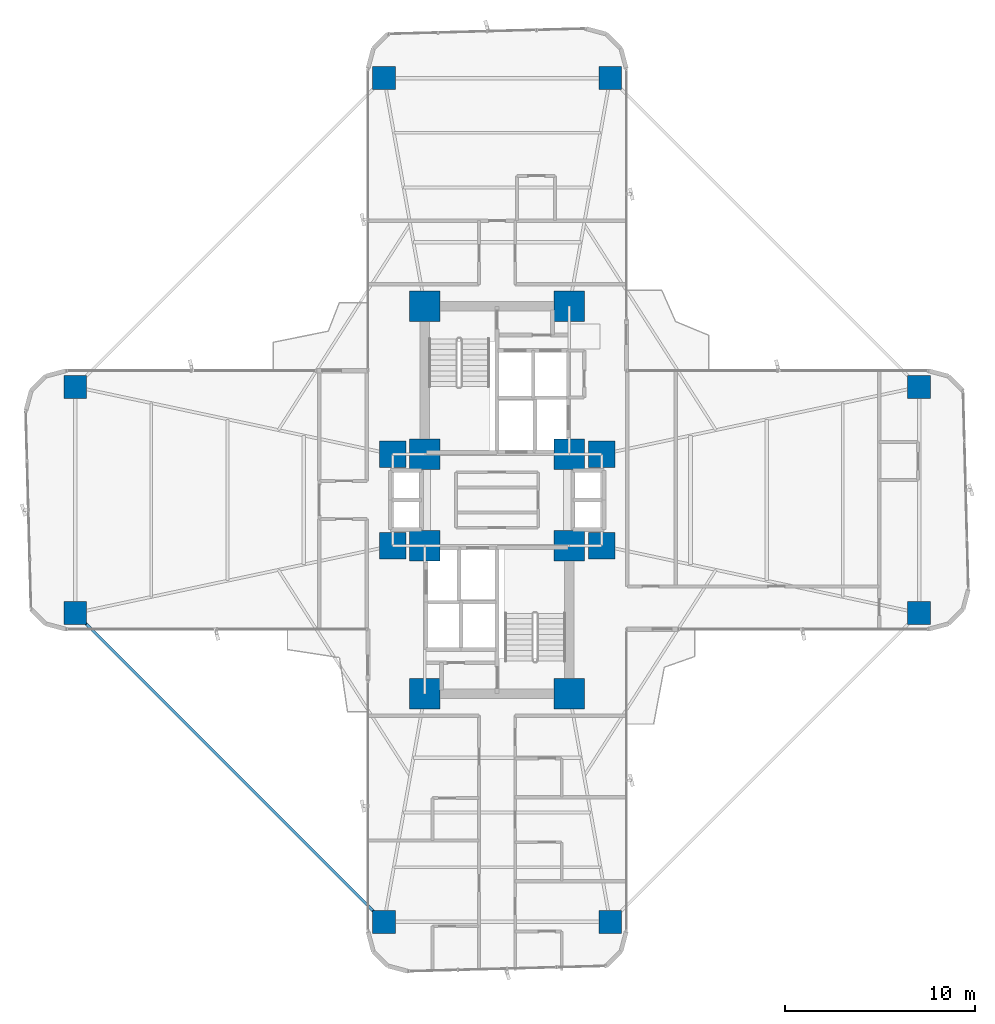
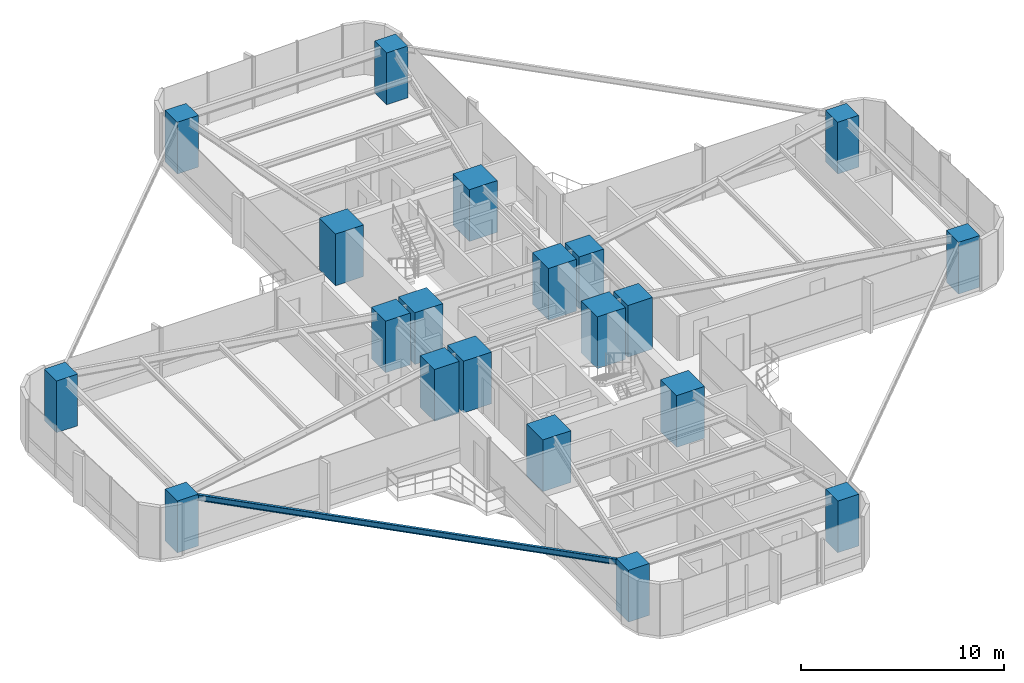
# One storey, part 1 of 25: 20 columns, 1 beam.
"""IFC4 building model written with IfcOpenShell, lengths in metres."""

import ifcopenshell
import ifcopenshell.guid

model = None  # the IFC model being written
_history = None  # IfcOwnerHistory: only IFC2X3 demands one
_inside = {}  # id of a spatial element -> (the spatial element, [elements in it])
_under = {}  # id of a project, library or spatial element -> (it, [spatial elements below it])
_declared = {}  # id of a project -> (the project, [libraries it declares])
_typed = {}  # id of a type object -> (the type object, [elements of that type])
_made_of = {}  # id of a material, layer set ... -> (it, [elements and type objects made of it])


def new_model(schema):
    """Start an empty IFC model of exactly this schema.

    Asked for "IFC4X3", IfcOpenShell would pick the latest addendum, in which some entities
    have other attributes; the version numbers below select the first issue.
    IFC2X3 requires an IfcOwnerHistory on every rooted entity: one is made here for all.
    """
    global model, _history
    if schema == "IFC4X3":
        model = ifcopenshell.file(schema_version=(4, 3, 0, 0))
    else:
        model = ifcopenshell.file(schema=schema)
    _inside.clear()
    _under.clear()
    _declared.clear()
    _typed.clear()
    _made_of.clear()
    _history = None
    if model.schema == "IFC2X3":
        org = make("IfcOrganization", Name="unknown")
        user = make(
            "IfcPersonAndOrganization",
            ThePerson=make("IfcPerson", FamilyName="unknown"),
            TheOrganization=org,
        )
        app = make(
            "IfcApplication",
            ApplicationDeveloper=org,
            Version="unknown",
            ApplicationFullName="unknown",
            ApplicationIdentifier="unknown",
        )
        _history = make(
            "IfcOwnerHistory",
            OwningUser=user,
            OwningApplication=app,
            ChangeAction="ADDED",
            CreationDate=0,
        )
    return model


def make(cls, **values):
    """One entity of the class cls with the attributes given. An attribute that is None is left unset."""
    return model.create_entity(
        cls, **{name: value for name, value in values.items() if value is not None}
    )


def rooted(cls, **values):
    """An entity with a GlobalId (a new one), such as an element, a storey or a relation."""
    return make(cls, GlobalId=ifcopenshell.guid.new(), OwnerHistory=_history, **values)


def si_unit(unit_type, name, prefix=None):
    """IfcSIUnit, for example si_unit("LENGTHUNIT", "METRE", prefix="MILLI")."""
    return make("IfcSIUnit", UnitType=unit_type, Prefix=prefix, Name=name)


def assignment(units):
    """IfcUnitAssignment: the units of a project."""
    return None if units is None else make("IfcUnitAssignment", Units=units)


def point(xyz):
    """IfcCartesianPoint."""
    return None if xyz is None else make("IfcCartesianPoint", Coordinates=xyz)


def direction(xyz):
    """IfcDirection."""
    return None if xyz is None else make("IfcDirection", DirectionRatios=xyz)


def frame(location, z_axis=None, x_axis=None):
    """IfcAxis2Placement3D, a coordinate frame: its origin and axes. An axis left out is left unset."""
    return make(
        "IfcAxis2Placement3D",
        Location=point(location),
        Axis=direction(z_axis),
        RefDirection=direction(x_axis),
    )


def frame_2d(location, x_axis=None):
    """IfcAxis2Placement2D, a coordinate frame in the plane: its origin and x axis."""
    return make(
        "IfcAxis2Placement2D", Location=point(location), RefDirection=direction(x_axis)
    )


def origin():
    """The frame at (0, 0, 0) with its axes left unset."""
    return frame((0.0, 0.0, 0.0))


def origin_2d():
    """The frame at (0, 0) in the plane with its x axis left unset."""
    return frame_2d((0.0, 0.0))


def place(relative_to, where):
    """IfcLocalPlacement: puts the frame where relative to a parent placement (None: the world)."""
    return make(
        "IfcLocalPlacement", PlacementRelTo=relative_to, RelativePlacement=where
    )


def context(
    kind, dimensions, precision=None, world=None, true_north=None, identifier=None
):
    """IfcGeometricRepresentationContext, for example the 3D "Model" context."""
    return make(
        "IfcGeometricRepresentationContext",
        ContextIdentifier=identifier,
        ContextType=kind,
        CoordinateSpaceDimension=dimensions,
        Precision=precision,
        WorldCoordinateSystem=world,
        TrueNorth=true_north,
    )


def subcontext(parent, identifier, kind, view, scale=None):
    """IfcGeometricRepresentationSubContext, for example "Body" below "Model"."""
    return make(
        "IfcGeometricRepresentationSubContext",
        ContextIdentifier=identifier,
        ContextType=kind,
        ParentContext=parent,
        TargetScale=scale,
        TargetView=view,
    )


def project(units=None, contexts=None):
    """IfcProject with its units and contexts."""
    return rooted(
        "IfcProject",
        Name="project",
        RepresentationContexts=contexts,
        UnitsInContext=assignment(units),
    )


def spatial(cls, under=None, at=None, **own):
    """A site, building, storey or space (cls), placed at a placement, below another one or the project."""
    s = rooted(cls, ObjectPlacement=at, **own)
    if under is not None:
        _under.setdefault(under.id(), (under, []))[1].append(s)
    return s


def profile(cls, at=None, kind="AREA", **sizes):
    """A parametric profile (cls). Its sizes go by their IFC names, for example OverallWidth=200.0."""
    return make(cls, ProfileType=kind, Position=at, **sizes)


def rectangle(**sizes):
    """IfcRectangleProfileDef."""
    return profile("IfcRectangleProfileDef", **sizes)


def i_section(**sizes):
    """IfcIShapeProfileDef."""
    return profile("IfcIShapeProfileDef", **sizes)


def extrude(swept, where, along, depth):
    """IfcExtrudedAreaSolid: the profile swept, set in the frame where, extruded along a direction by depth."""
    return make(
        "IfcExtrudedAreaSolid",
        SweptArea=swept,
        Position=where,
        ExtrudedDirection=direction(along),
        Depth=depth,
    )


def shape(context_of_items, identifier, shape_type, items):
    """IfcShapeRepresentation: the items that make up one representation, for example the "Body"."""
    return make(
        "IfcShapeRepresentation",
        ContextOfItems=context_of_items,
        RepresentationIdentifier=identifier,
        RepresentationType=shape_type,
        Items=items,
    )


def source(mapping_origin, context_of_items, identifier, shape_type, items):
    """IfcRepresentationMap: a shape defined once, which mapped items show again and again."""
    return make(
        "IfcRepresentationMap",
        MappingOrigin=mapping_origin,
        MappedRepresentation=shape(context_of_items, identifier, shape_type, items),
    )


def transform(
    local_origin,
    x_axis=None,
    y_axis=None,
    z_axis=None,
    scale=None,
    scale2=None,
    scale3=None,
    uniform=True,
):
    """IfcCartesianTransformationOperator3D, or its non-uniform kind. x_axis, y_axis, z_axis: its Axis1, 2, 3."""
    if uniform:
        return make(
            "IfcCartesianTransformationOperator3D",
            Axis1=direction(x_axis),
            Axis2=direction(y_axis),
            LocalOrigin=point(local_origin),
            Scale=scale,
            Axis3=direction(z_axis),
        )
    return make(
        "IfcCartesianTransformationOperator3DnonUniform",
        Axis1=direction(x_axis),
        Axis2=direction(y_axis),
        LocalOrigin=point(local_origin),
        Scale=scale,
        Axis3=direction(z_axis),
        Scale2=scale2,
        Scale3=scale3,
    )


def mapped(mapping_source, mapping_target):
    """IfcMappedItem: shows the shape of a source again, moved by a transform."""
    return make(
        "IfcMappedItem", MappingSource=mapping_source, MappingTarget=mapping_target
    )


def material(Name=None, Category=None):
    """IfcMaterial."""
    return make("IfcMaterial", Name=Name, Category=Category)


def material_profile(
    of_material, cross_section, Name=None, Category=None, Priority=None
):
    """IfcMaterialProfile: a cross section and its material."""
    return make(
        "IfcMaterialProfile",
        Name=Name,
        Material=of_material,
        Profile=cross_section,
        Priority=Priority,
        Category=Category,
    )


def profile_set(profiles, Name=None, composite=None):
    """IfcMaterialProfileSet."""
    return make(
        "IfcMaterialProfileSet",
        Name=Name,
        MaterialProfiles=profiles,
        CompositeProfile=composite,
    )


def made_of(thing, what):
    """Note that an element or type object is made of a material, layer set ...; save() writes the relation."""
    if what is not None:
        _made_of.setdefault(what.id(), (what, []))[1].append(thing)
    return thing


def type_object(cls, material=None, **own):
    """A type object (cls), such as IfcWallType, which elements share."""
    return made_of(rooted(cls, **own), material)


def element(
    cls,
    number,
    at=None,
    inside=None,
    cuts=None,
    type_object=None,
    material=None,
    context=None,
    identifier="Body",
    shape_type=None,
    held_by="IfcProductDefinitionShape",
    body=None,
    shapes=None,
    **own,
):
    """One element of the class cls, such as IfcWall. Its Tag is "e" and its number.

    at: its placement. inside: the storey or other place that contains it. cuts: it is an
    opening in that element (IfcRelVoidsElement). A single representation is given by context,
    identifier, shape_type and body (its items); several are given by shapes. held_by: the class
    of the entity that holds the representations. save() writes the other relations.
    """
    e = rooted(cls, Tag="e%d" % number, ObjectPlacement=at, **own)
    if body is not None:
        shapes = [shape(context, identifier, shape_type, body)]
    if shapes is not None:
        e.Representation = make(held_by, Representations=shapes)
    if inside is not None:
        _inside.setdefault(inside.id(), (inside, []))[1].append(e)
    if cuts is not None:
        rooted(
            "IfcRelVoidsElement", RelatingBuildingElement=cuts, RelatedOpeningElement=e
        )
    if type_object is not None:
        _typed.setdefault(type_object.id(), (type_object, []))[1].append(e)
    return made_of(e, material)


def aggregate(whole, parts):
    """IfcRelAggregates: a whole, such as a stair, and the parts it consists of."""
    return rooted("IfcRelAggregates", RelatingObject=whole, RelatedObjects=parts)


def save(model, path):
    """Write the relations noted so far, then the file.

    IfcRelAggregates (storeys below a building ...), IfcRelContainedInSpatialStructure (elements
    in a storey), IfcRelDefinesByType, IfcRelAssociatesMaterial and IfcRelDeclares: one each for
    every whole, place, type object, material and project.
    """
    for whole, parts in _under.values():
        aggregate(whole, parts)
    for where, things in _inside.values():
        rooted(
            "IfcRelContainedInSpatialStructure",
            RelatedElements=things,
            RelatingStructure=where,
        )
    for kind, things in _typed.values():
        rooted("IfcRelDefinesByType", RelatedObjects=things, RelatingType=kind)
    for what, things in _made_of.values():
        rooted("IfcRelAssociatesMaterial", RelatedObjects=things, RelatingMaterial=what)
    for by, libraries in _declared.values():
        rooted("IfcRelDeclares", RelatingContext=by, RelatedDefinitions=libraries)
    model.write(path)


model = new_model("IFC4")

# Units and contexts
model_context = context("Model", 3, precision=1e-05, world=origin(), true_north=direction((0.0, 1.0)))
body_context = subcontext(model_context, "Body", "Model", "MODEL_VIEW")
ifc_project = project(units=[si_unit("LENGTHUNIT", "METRE"), si_unit("AREAUNIT", "SQUARE_METRE"), si_unit("VOLUMEUNIT", "CUBIC_METRE"), si_unit("PLANEANGLEUNIT", "RADIAN"), si_unit("MASSUNIT", "GRAM", prefix="KILO")], contexts=[model_context])

# Site, building, storey
site_placement = place(None, origin())
site = spatial("IfcSite", under=ifc_project, at=site_placement, CompositionType="ELEMENT")
building_placement = place(site_placement, origin())
building = spatial("IfcBuilding", under=site, at=building_placement, Name="Sahyath Konkavel Grand Hotel", CompositionType="ELEMENT")
storey_placement = place(building_placement, frame((0.0, 0.0, 39.85009765625)))
storey = spatial("IfcBuildingStorey", under=building, at=storey_placement, Name="L10", CompositionType="ELEMENT", Elevation=39.85009765625)

# Columns
ifc_material_1 = material(Name="Concrete C70/85", Category="concrete")
ifc_material_profile_1 = material_profile(ifc_material_1, rectangle(XDim=1.60009765625, YDim=1.60009765625, at=origin_2d()), Name="RC 1600x1600")
ifc_profile_set_1 = profile_set([ifc_material_profile_1], Name="Concrete C70/85")
column_type_1 = type_object("IfcColumnType", Name="COL-RC1600", PredefinedType="COLUMN", material=ifc_profile_set_1)
shared_shape_1 = source(origin(), body_context, "Body", "SweptSolid", [
    extrude(rectangle(XDim=1.60009765625, YDim=1.60009765625, at=origin_2d()), origin(), (0.0, 0.0, 1.0), 3.10986328125),
])
for number, where, z_axis, x_axis, name in (
    (1, (-3.800048828125, 2.39990234375, 0.0), (0.0, 0.0, 1.0), (1.0, 0.0, 0.0), "L10 Core Boundary Column NC-SW"),
    (2, (3.800048828125, 2.39990234375, 0.0), (0.0, 0.0, 1.0), (1.0, 0.0, 0.0), "L10 Core Boundary Column NC-SE"),
    (3, (-3.800048828125, 10.199951171875, 0.0), (0.0, 0.0, 1.0), (1.0, 0.0, 0.0), "L10 Core Boundary Column NC-NW"),
    (4, (3.800048828125, 10.199951171875, 0.0), (0.0, 0.0, 1.0), (1.0, 0.0, 0.0), "L10 Core Boundary Column NC-NE"),
    (5, (-3.800048828125, -2.39990234375, 0.0), (0.0, 0.0, 1.0), (1.0, 0.0, 0.0), "L10 Core Boundary Column SC-NW"),
    (6, (3.800048828125, -2.39990234375, 0.0), (0.0, 0.0, 1.0), (1.0, 0.0, 0.0), "L10 Core Boundary Column SC-NE"),
    (7, (-3.800048828125, -10.199951171875, 0.0), (0.0, 0.0, 1.0), (1.0, 0.0, 0.0), "L10 Core Boundary Column SC-SW"),
    (8, (3.800048828125, -10.199951171875, 0.0), (0.0, 0.0, 1.0), (1.0, 0.0, 0.0), "L10 Core Boundary Column SC-SE"),
):
    element("IfcColumn", number, at=place(storey_placement, frame(where, z_axis=z_axis, x_axis=x_axis)), inside=storey, type_object=column_type_1, Name=name, PredefinedType="COLUMN", context=body_context, shape_type="MappedRepresentation", body=[
        mapped(shared_shape_1, transform((0.0, 0.0, 0.0), scale=1.0)),
    ])
ifc_material_profile_2 = material_profile(ifc_material_1, rectangle(XDim=1.39990234375, YDim=1.39990234375, at=origin_2d()), Name="RC 1400x1400")
ifc_profile_set_2 = profile_set([ifc_material_profile_2], Name="Concrete C70/85")
column_type_2 = type_object("IfcColumnType", Name="COL-RC1400", PredefinedType="COLUMN", material=ifc_profile_set_2)
shared_shape_2 = source(origin(), body_context, "Body", "SweptSolid", [
    extrude(rectangle(XDim=1.39990234375, YDim=1.39990234375, at=origin_2d()), origin(), (0.0, 0.0, 1.0), 3.10986328125),
])
for number, where, z_axis, x_axis, name in (
    (9, (5.5, 2.39990234375, 0.0), (0.0, 0.0, 1.0), (1.0, 0.0, 0.0), "L10 Central Spine Column HB-NE"),
    (10, (-5.5, 2.39990234375, 0.0), (0.0, 0.0, 1.0), (1.0, 0.0, 0.0), "L10 Central Spine Column HB-NW"),
    (11, (5.5, -2.39990234375, 0.0), (0.0, 0.0, 1.0), (1.0, 0.0, 0.0), "L10 Central Spine Column HB-SE"),
    (12, (-5.5, -2.39990234375, 0.0), (0.0, 0.0, 1.0), (1.0, 0.0, 0.0), "L10 Central Spine Column HB-SW"),
):
    element("IfcColumn", number, at=place(storey_placement, frame(where, z_axis=z_axis, x_axis=x_axis)), inside=storey, type_object=column_type_2, Name=name, PredefinedType="COLUMN", context=body_context, shape_type="MappedRepresentation", body=[
        mapped(shared_shape_2, transform((0.0, 0.0, 0.0), scale=1.0)),
    ])
ifc_material_2 = material(Name="Concrete C50/60", Category="concrete")
ifc_material_profile_3 = material_profile(ifc_material_2, rectangle(XDim=1.199951171875, YDim=1.199951171875, at=origin_2d()), Name="RC 1200x1200")
ifc_profile_set_3 = profile_set([ifc_material_profile_3], Name="Concrete C50/60")
column_type_3 = type_object("IfcColumnType", Name="COL-RC1200", PredefinedType="COLUMN", material=ifc_profile_set_3)
shared_shape_3 = source(origin(), body_context, "Body", "SweptSolid", [
    extrude(rectangle(XDim=1.199951171875, YDim=1.199951171875, at=origin_2d()), origin(), (0.0, 0.0, 1.0), 3.10986328125),
])
for number, where, z_axis, x_axis, name in (
    (13, (22.199951171875, -5.949951171875, 0.0), (0.0, 0.0, 1.0), (1.0, 0.0, 0.0), "L10 Cruciform Wing Column WC-EA"),
    (14, (22.199951171875, 5.949951171875, 0.0), (0.0, 0.0, 1.0), (1.0, 0.0, 0.0), "L10 Cruciform Wing Column WC-EB"),
    (15, (5.949951171875, 22.199951171875, 0.0), (0.0, 0.0, 1.0), (1.0, 0.0, 0.0), "L10 Cruciform Wing Column WC-NA"),
    (16, (-5.949951171875, 22.199951171875, 0.0), (0.0, 0.0, 1.0), (1.0, 0.0, 0.0), "L10 Cruciform Wing Column WC-NB"),
    (17, (-22.199951171875, 5.949951171875, 0.0), (0.0, 0.0, 1.0), (1.0, 0.0, 0.0), "L10 Cruciform Wing Column WC-WA"),
    (18, (-22.199951171875, -5.949951171875, 0.0), (0.0, 0.0, 1.0), (1.0, 0.0, 0.0), "L10 Cruciform Wing Column WC-WB"),
    (19, (-5.949951171875, -22.199951171875, 0.0), (0.0, 0.0, 1.0), (1.0, 0.0, 0.0), "L10 Cruciform Wing Column WC-SA"),
    (20, (5.949951171875, -22.199951171875, 0.0), (0.0, 0.0, 1.0), (1.0, 0.0, 0.0), "L10 Cruciform Wing Column WC-SB"),
):
    element("IfcColumn", number, at=place(storey_placement, frame(where, z_axis=z_axis, x_axis=x_axis)), inside=storey, type_object=column_type_3, Name=name, PredefinedType="COLUMN", context=body_context, shape_type="MappedRepresentation", body=[
        mapped(shared_shape_3, transform((0.0, 0.0, 0.0), scale=1.0)),
    ])

# Beam
ifc_material_3 = material(Name="Steel E350", Category="steel")
ifc_material_profile_4 = material_profile(ifc_material_3, i_section(OverallWidth=0.139892578125, OverallDepth=0.35009765625, WebThickness=0.008056640625, FlangeThickness=0.01416015625, FilletRadius=0.013916015625, at=origin_2d()), Name="ISMB 350")
ifc_profile_set_4 = profile_set([ifc_material_profile_4], Name="Steel E350")
beam_type = type_object("IfcBeamType", Name="BM-ISMB350", PredefinedType="BEAM", material=ifc_profile_set_4)
shared_shape_4 = source(origin(), body_context, "Body", "SweptSolid", [
    extrude(i_section(OverallWidth=0.139892578125, OverallDepth=0.35009765625, WebThickness=0.008056640625, FlangeThickness=0.01416015625, FilletRadius=0.013916015625, at=origin_2d()), origin(), (0.0, 0.0, 1.0), 22.98095703125),
])
beam_placement = place(storey_placement, frame((-22.199951171875, -5.949951171875, 2.934814453125), z_axis=(0.707106781187, -0.707106781187, 0.0), x_axis=(0.707106781187, 0.707106781187, 0.0)))
element("IfcBeam", 21, at=beam_placement, inside=storey, type_object=beam_type, Name="L10 Re-Entrant Tie Beam SW", PredefinedType="BEAM", context=body_context, shape_type="MappedRepresentation", body=[
    mapped(shared_shape_4, transform((0.0, 0.0, 0.0), scale=1.0)),
])

save(model, "model.ifc")
